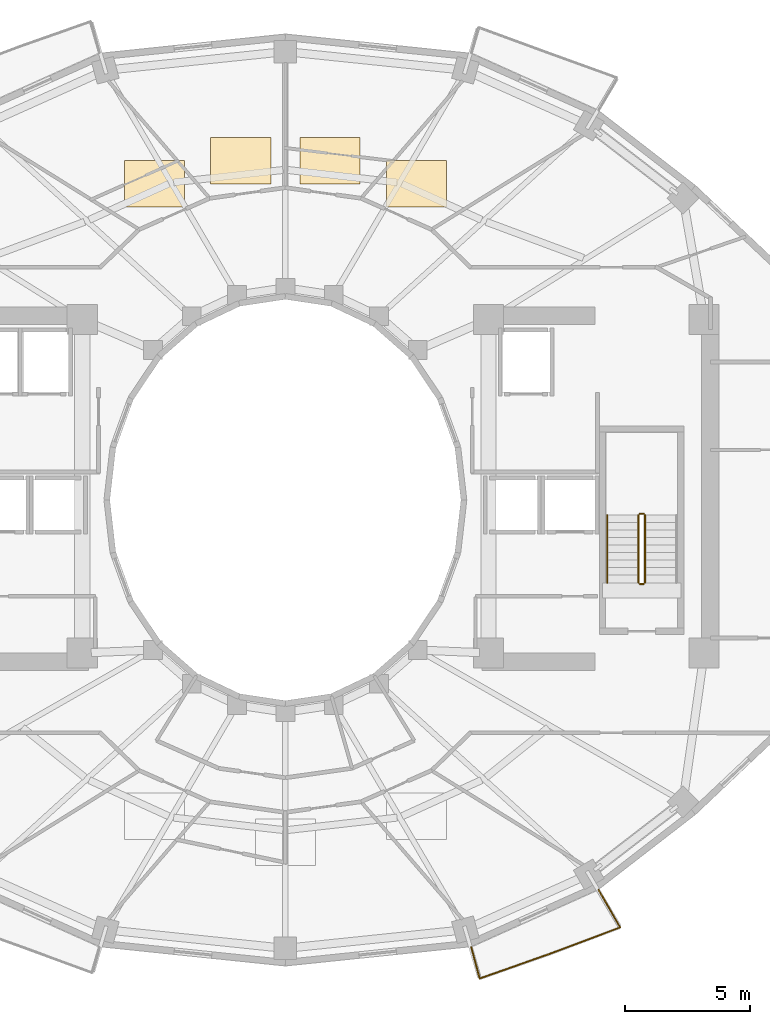
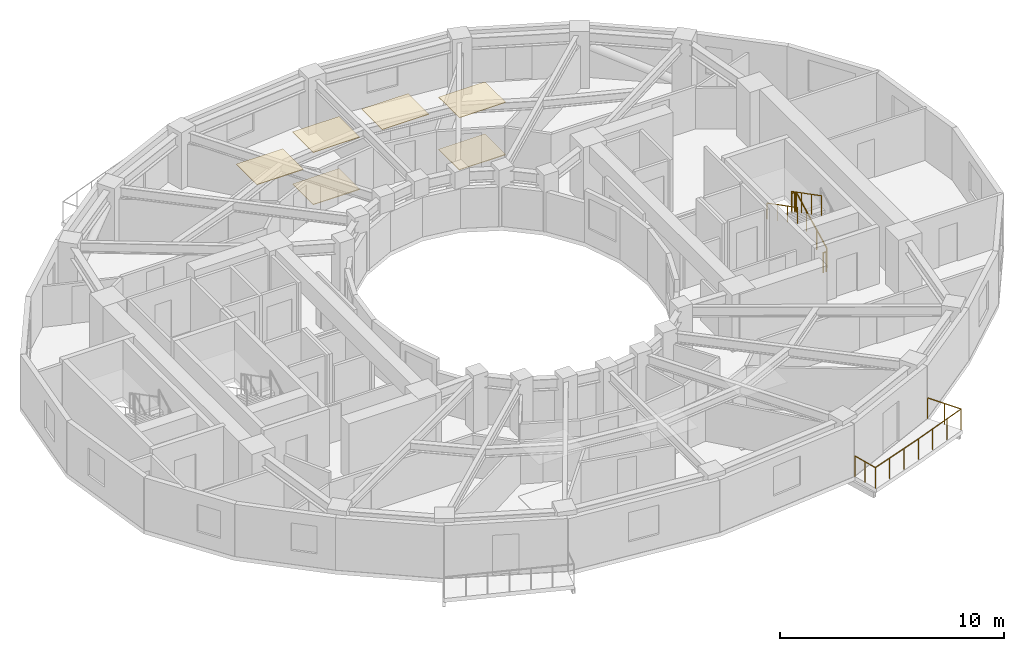
# One storey, part 9 of 10: 6 coverings, 6 railings.
"""IFC4 building model written with IfcOpenShell, lengths in metres."""

import ifcopenshell
import ifcopenshell.guid

model = None  # the IFC model being written
_history = None  # IfcOwnerHistory: only IFC2X3 demands one
_inside = {}  # id of a spatial element -> (the spatial element, [elements in it])
_under = {}  # id of a project, library or spatial element -> (it, [spatial elements below it])
_declared = {}  # id of a project -> (the project, [libraries it declares])
_typed = {}  # id of a type object -> (the type object, [elements of that type])
_made_of = {}  # id of a material, layer set ... -> (it, [elements and type objects made of it])


def new_model(schema):
    """Start an empty IFC model of exactly this schema.

    Asked for "IFC4X3", IfcOpenShell would pick the latest addendum, in which some entities
    have other attributes; the version numbers below select the first issue.
    IFC2X3 requires an IfcOwnerHistory on every rooted entity: one is made here for all.
    """
    global model, _history
    if schema == "IFC4X3":
        model = ifcopenshell.file(schema_version=(4, 3, 0, 0))
    else:
        model = ifcopenshell.file(schema=schema)
    _inside.clear()
    _under.clear()
    _declared.clear()
    _typed.clear()
    _made_of.clear()
    _history = None
    if model.schema == "IFC2X3":
        org = make("IfcOrganization", Name="unknown")
        user = make(
            "IfcPersonAndOrganization",
            ThePerson=make("IfcPerson", FamilyName="unknown"),
            TheOrganization=org,
        )
        app = make(
            "IfcApplication",
            ApplicationDeveloper=org,
            Version="unknown",
            ApplicationFullName="unknown",
            ApplicationIdentifier="unknown",
        )
        _history = make(
            "IfcOwnerHistory",
            OwningUser=user,
            OwningApplication=app,
            ChangeAction="ADDED",
            CreationDate=0,
        )
    return model


def make(cls, **values):
    """One entity of the class cls with the attributes given. An attribute that is None is left unset."""
    return model.create_entity(
        cls, **{name: value for name, value in values.items() if value is not None}
    )


def rooted(cls, **values):
    """An entity with a GlobalId (a new one), such as an element, a storey or a relation."""
    return make(cls, GlobalId=ifcopenshell.guid.new(), OwnerHistory=_history, **values)


def si_unit(unit_type, name, prefix=None):
    """IfcSIUnit, for example si_unit("LENGTHUNIT", "METRE", prefix="MILLI")."""
    return make("IfcSIUnit", UnitType=unit_type, Prefix=prefix, Name=name)


def assignment(units):
    """IfcUnitAssignment: the units of a project."""
    return None if units is None else make("IfcUnitAssignment", Units=units)


def point(xyz):
    """IfcCartesianPoint."""
    return None if xyz is None else make("IfcCartesianPoint", Coordinates=xyz)


def direction(xyz):
    """IfcDirection."""
    return None if xyz is None else make("IfcDirection", DirectionRatios=xyz)


def frame(location, z_axis=None, x_axis=None):
    """IfcAxis2Placement3D, a coordinate frame: its origin and axes. An axis left out is left unset."""
    return make(
        "IfcAxis2Placement3D",
        Location=point(location),
        Axis=direction(z_axis),
        RefDirection=direction(x_axis),
    )


def frame_2d(location, x_axis=None):
    """IfcAxis2Placement2D, a coordinate frame in the plane: its origin and x axis."""
    return make(
        "IfcAxis2Placement2D", Location=point(location), RefDirection=direction(x_axis)
    )


def origin():
    """The frame at (0, 0, 0) with its axes left unset."""
    return frame((0.0, 0.0, 0.0))


def origin_2d():
    """The frame at (0, 0) in the plane with its x axis left unset."""
    return frame_2d((0.0, 0.0))


def place(relative_to, where):
    """IfcLocalPlacement: puts the frame where relative to a parent placement (None: the world)."""
    return make(
        "IfcLocalPlacement", PlacementRelTo=relative_to, RelativePlacement=where
    )


def context(
    kind, dimensions, precision=None, world=None, true_north=None, identifier=None
):
    """IfcGeometricRepresentationContext, for example the 3D "Model" context."""
    return make(
        "IfcGeometricRepresentationContext",
        ContextIdentifier=identifier,
        ContextType=kind,
        CoordinateSpaceDimension=dimensions,
        Precision=precision,
        WorldCoordinateSystem=world,
        TrueNorth=true_north,
    )


def subcontext(parent, identifier, kind, view, scale=None):
    """IfcGeometricRepresentationSubContext, for example "Body" below "Model"."""
    return make(
        "IfcGeometricRepresentationSubContext",
        ContextIdentifier=identifier,
        ContextType=kind,
        ParentContext=parent,
        TargetScale=scale,
        TargetView=view,
    )


def project(units=None, contexts=None):
    """IfcProject with its units and contexts."""
    return rooted(
        "IfcProject",
        Name="project",
        RepresentationContexts=contexts,
        UnitsInContext=assignment(units),
    )


def spatial(cls, under=None, at=None, **own):
    """A site, building, storey or space (cls), placed at a placement, below another one or the project."""
    s = rooted(cls, ObjectPlacement=at, **own)
    if under is not None:
        _under.setdefault(under.id(), (under, []))[1].append(s)
    return s


def polyline(points):
    """IfcPolyline through the points."""
    return make("IfcPolyline", Points=[point(p) for p in points])


def profile(cls, at=None, kind="AREA", **sizes):
    """A parametric profile (cls). Its sizes go by their IFC names, for example OverallWidth=200.0."""
    return make(cls, ProfileType=kind, Position=at, **sizes)


def circle(**sizes):
    """IfcCircleProfileDef."""
    return profile("IfcCircleProfileDef", **sizes)


def outline(outer, holes=None, kind="AREA"):
    """IfcArbitraryClosedProfileDef: a profile drawn as a closed curve; with holes, ...WithVoids."""
    if holes is None:
        return make("IfcArbitraryClosedProfileDef", ProfileType=kind, OuterCurve=outer)
    return make(
        "IfcArbitraryProfileDefWithVoids",
        ProfileType=kind,
        OuterCurve=outer,
        InnerCurves=holes,
    )


def extrude(swept, where, along, depth):
    """IfcExtrudedAreaSolid: the profile swept, set in the frame where, extruded along a direction by depth."""
    return make(
        "IfcExtrudedAreaSolid",
        SweptArea=swept,
        Position=where,
        ExtrudedDirection=direction(along),
        Depth=depth,
    )


def shape(context_of_items, identifier, shape_type, items):
    """IfcShapeRepresentation: the items that make up one representation, for example the "Body"."""
    return make(
        "IfcShapeRepresentation",
        ContextOfItems=context_of_items,
        RepresentationIdentifier=identifier,
        RepresentationType=shape_type,
        Items=items,
    )


def material(Name=None, Category=None):
    """IfcMaterial."""
    return make("IfcMaterial", Name=Name, Category=Category)


def layer(
    of_material, thickness, ventilated=None, Name=None, Category=None, Priority=None
):
    """IfcMaterialLayer: one layer of a wall or slab, of a material (None: an air gap)."""
    return make(
        "IfcMaterialLayer",
        Material=of_material,
        LayerThickness=thickness,
        IsVentilated=ventilated,
        Name=Name,
        Category=Category,
        Priority=Priority,
    )


def layer_set(layers, Name=None):
    """IfcMaterialLayerSet."""
    return make("IfcMaterialLayerSet", MaterialLayers=layers, LayerSetName=Name)


def made_of(thing, what):
    """Note that an element or type object is made of a material, layer set ...; save() writes the relation."""
    if what is not None:
        _made_of.setdefault(what.id(), (what, []))[1].append(thing)
    return thing


def type_object(cls, material=None, **own):
    """A type object (cls), such as IfcWallType, which elements share."""
    return made_of(rooted(cls, **own), material)


def element(
    cls,
    number,
    at=None,
    inside=None,
    cuts=None,
    type_object=None,
    material=None,
    context=None,
    identifier="Body",
    shape_type=None,
    held_by="IfcProductDefinitionShape",
    body=None,
    shapes=None,
    **own,
):
    """One element of the class cls, such as IfcWall. Its Tag is "e" and its number.

    at: its placement. inside: the storey or other place that contains it. cuts: it is an
    opening in that element (IfcRelVoidsElement). A single representation is given by context,
    identifier, shape_type and body (its items); several are given by shapes. held_by: the class
    of the entity that holds the representations. save() writes the other relations.
    """
    e = rooted(cls, Tag="e%d" % number, ObjectPlacement=at, **own)
    if body is not None:
        shapes = [shape(context, identifier, shape_type, body)]
    if shapes is not None:
        e.Representation = make(held_by, Representations=shapes)
    if inside is not None:
        _inside.setdefault(inside.id(), (inside, []))[1].append(e)
    if cuts is not None:
        rooted(
            "IfcRelVoidsElement", RelatingBuildingElement=cuts, RelatedOpeningElement=e
        )
    if type_object is not None:
        _typed.setdefault(type_object.id(), (type_object, []))[1].append(e)
    return made_of(e, material)


def aggregate(whole, parts):
    """IfcRelAggregates: a whole, such as a stair, and the parts it consists of."""
    return rooted("IfcRelAggregates", RelatingObject=whole, RelatedObjects=parts)


def save(model, path):
    """Write the relations noted so far, then the file.

    IfcRelAggregates (storeys below a building ...), IfcRelContainedInSpatialStructure (elements
    in a storey), IfcRelDefinesByType, IfcRelAssociatesMaterial and IfcRelDeclares: one each for
    every whole, place, type object, material and project.
    """
    for whole, parts in _under.values():
        aggregate(whole, parts)
    for where, things in _inside.values():
        rooted(
            "IfcRelContainedInSpatialStructure",
            RelatedElements=things,
            RelatingStructure=where,
        )
    for kind, things in _typed.values():
        rooted("IfcRelDefinesByType", RelatedObjects=things, RelatingType=kind)
    for what, things in _made_of.values():
        rooted("IfcRelAssociatesMaterial", RelatedObjects=things, RelatingMaterial=what)
    for by, libraries in _declared.values():
        rooted("IfcRelDeclares", RelatingContext=by, RelatedDefinitions=libraries)
    model.write(path)


model = new_model("IFC4")

# Units and contexts
model_context = context("Model", 3, precision=1e-05, world=origin(), true_north=direction((0.0, 1.0)))
body_context = subcontext(model_context, "Body", "Model", "MODEL_VIEW")
ifc_project = project(units=[si_unit("LENGTHUNIT", "METRE"), si_unit("AREAUNIT", "SQUARE_METRE"), si_unit("VOLUMEUNIT", "CUBIC_METRE"), si_unit("PLANEANGLEUNIT", "RADIAN"), si_unit("MASSUNIT", "GRAM", prefix="KILO")], contexts=[model_context])

# Site, building, storey
site_placement = place(None, origin())
site = spatial("IfcSite", under=ifc_project, at=site_placement, CompositionType="ELEMENT")
building_placement = place(site_placement, origin())
building = spatial("IfcBuilding", under=site, at=building_placement, Name="Solvane Sanctuary Tower", CompositionType="ELEMENT")
storey_placement = place(building_placement, frame((0.0, 0.0, 146.699951171875)))
storey = spatial("IfcBuildingStorey", under=building, at=storey_placement, Name="L44", CompositionType="ELEMENT", Elevation=146.699951171875)

# Coverings
ifc_material_1 = material(Name="Acoustic Gypsum Partition Board")
ifc_layer_1 = layer(ifc_material_1, 0.02490234375, Name="Acoustic Gypsum Partition Board")
ifc_layer_set_1 = layer_set([ifc_layer_1], Name="Acoustic Gypsum Partition Board")
covering_type_1 = type_object("IfcCoveringType", Name="Covering CLG-ACOUST", PredefinedType="CEILING", material=ifc_layer_set_1)
covering_1_placement = place(storey_placement, frame((0.0, 0.0, 2.85009765625)))
element("IfcCovering", 1, at=covering_1_placement, inside=storey, type_object=covering_type_1, Name="L44 Unit Acoustic Ceiling Panel 1", PredefinedType="CEILING", context=body_context, shape_type="SweptSolid", body=[
    extrude(outline(polyline([(36.02392578125, 34.68603515625), (38.424072265625, 34.68603515625), (38.424072265625, 36.535888671875), (36.02392578125, 36.535888671875), (36.02392578125, 34.68603515625)])), origin(), (0.0, 0.0, 1.0), 0.030029296875),
])
covering_2_placement = place(storey_placement, frame((0.0, 0.0, 2.85009765625)))
element("IfcCovering", 2, at=covering_2_placement, inside=storey, type_object=covering_type_1, Name="L44 Unit Acoustic Ceiling Panel 2", PredefinedType="CEILING", context=body_context, shape_type="SweptSolid", body=[
    extrude(outline(polyline([(32.58203125, 35.60791015625), (34.98193359375, 35.60791015625), (34.98193359375, 37.4580078125), (32.58203125, 37.4580078125), (32.58203125, 35.60791015625)])), origin(), (0.0, 0.0, 1.0), 0.030029296875),
])
covering_3_placement = place(storey_placement, frame((0.0, 0.0, 2.85009765625)))
element("IfcCovering", 3, at=covering_3_placement, inside=storey, type_object=covering_type_1, Name="L44 Unit Acoustic Ceiling Panel 3", PredefinedType="CEILING", context=body_context, shape_type="SweptSolid", body=[
    extrude(outline(polyline([(29.01806640625, 35.60791015625), (31.41796875, 35.60791015625), (31.41796875, 37.4580078125), (29.01806640625, 37.4580078125), (29.01806640625, 35.60791015625)])), origin(), (0.0, 0.0, 1.0), 0.030029296875),
])
covering_4_placement = place(storey_placement, frame((0.0, 0.0, 2.85009765625)))
element("IfcCovering", 4, at=covering_4_placement, inside=storey, type_object=covering_type_1, Name="L44 Unit Acoustic Ceiling Panel 4", PredefinedType="CEILING", context=body_context, shape_type="SweptSolid", body=[
    extrude(outline(polyline([(25.575927734375, 34.68603515625), (27.97607421875, 34.68603515625), (27.97607421875, 36.535888671875), (25.575927734375, 36.535888671875), (25.575927734375, 34.68603515625)])), origin(), (0.0, 0.0, 1.0), 0.030029296875),
])
ifc_material_2 = material(Name="Ceramic Tile Finish")
ifc_layer_2 = layer(ifc_material_2, 0.030029296875, Name="Ceramic Tile Finish")
ifc_layer_set_2 = layer_set([ifc_layer_2], Name="Ceramic Tile Finish")
covering_type_2 = type_object("IfcCoveringType", Name="Covering FLR-TERRAZZO", PredefinedType="FLOORING", material=ifc_layer_set_2)
covering_5_placement = place(storey_placement, origin())
element("IfcCovering", 5, at=covering_5_placement, inside=storey, type_object=covering_type_2, Name="L44 Unit Terrazzo Inlay 1", PredefinedType="FLOORING", context=body_context, shape_type="SweptSolid", body=[
    extrude(outline(polyline([(36.02392578125, 34.68603515625), (38.424072265625, 34.68603515625), (38.424072265625, 36.535888671875), (36.02392578125, 36.535888671875), (36.02392578125, 34.68603515625)])), origin(), (0.0, 0.0, 1.0), 0.03515625),
])
covering_6_placement = place(storey_placement, origin())
element("IfcCovering", 6, at=covering_6_placement, inside=storey, type_object=covering_type_2, Name="L44 Unit Terrazzo Inlay 3", PredefinedType="FLOORING", context=body_context, shape_type="SweptSolid", body=[
    extrude(outline(polyline([(29.01806640625, 35.60791015625), (31.41796875, 35.60791015625), (31.41796875, 37.4580078125), (29.01806640625, 37.4580078125), (29.01806640625, 35.60791015625)])), origin(), (0.0, 0.0, 1.0), 0.03515625),
])

# Railings
ifc_material_3 = material(Name="Architectural Stainless Steel 316", Category="steel")
railing_type_1 = type_object("IfcRailingType", Name="Railing GR-BALC-1150", PredefinedType="BALUSTRADE", material=ifc_material_3)
railing_1_placement = place(storey_placement, frame((39.410400390625, 5.17041015625, 0.0)))
element("IfcRailing", 7, at=railing_1_placement, inside=storey, type_object=railing_type_1, Name="L44 Wave Balcony Balustrade S2", PredefinedType="BALUSTRADE", context=body_context, shape_type="SweptSolid", body=[
    extrude(circle(Radius=0.02392578125, at=origin_2d()), frame((0.0, 0.0, 1.1259765625), z_axis=(0.258764326089, -0.965940486543, 0.0), x_axis=(0.965940486543, 0.258764326089, 0.0)), (0.0, 0.0, 1.0), 1.29638671875),
    extrude(circle(Radius=0.02392578125, at=origin_2d()), frame((0.33544921875, -1.252197265625, 1.1259765625), z_axis=(0.943326752862, 0.331865390384, 0.0), x_axis=(-0.331865390384, 0.943326752862, 0.0)), (0.0, 0.0, 1.0), 2.95654296875),
    extrude(circle(Radius=0.02392578125, at=origin_2d()), frame((3.12451171875, -0.27099609375, 1.1259765625), z_axis=(0.935767944552, 0.352616440271, 0.0), x_axis=(-0.352616440271, 0.935767944552, 0.0)), (0.0, 0.0, 1.0), 3.009765625),
    extrude(circle(Radius=0.02392578125, at=origin_2d()), frame((5.94091796875, 0.790283203125, 1.1259765625), z_axis=(-0.500036993012, 0.866004044806, 0.0), x_axis=(-0.866004044806, -0.500036993012, 0.0)), (0.0, 0.0, 1.0), 1.724365234375),
    extrude(circle(Radius=0.02099609375, at=origin_2d()), origin(), (0.0, 0.0, 1.0), 1.101806640625),
    extrude(circle(Radius=0.02099609375, at=origin_2d()), frame((0.167724609375, -0.6259765625, 0.0)), (0.0, 0.0, 1.0), 1.101806640625),
    extrude(circle(Radius=0.02099609375, at=origin_2d()), frame((0.33544921875, -1.252197265625, 0.0)), (0.0, 0.0, 1.0), 1.101806640625),
    extrude(circle(Radius=0.02099609375, at=origin_2d()), frame((1.26513671875, -0.925048828125, 0.0)), (0.0, 0.0, 1.0), 1.101806640625),
    extrude(circle(Radius=0.02099609375, at=origin_2d()), frame((2.19482421875, -0.59814453125, 0.0)), (0.0, 0.0, 1.0), 1.101806640625),
    extrude(circle(Radius=0.02099609375, at=origin_2d()), frame((3.12451171875, -0.27099609375, 0.0)), (0.0, 0.0, 1.0), 1.101806640625),
    extrude(circle(Radius=0.02099609375, at=origin_2d()), frame((4.063232421875, 0.082763671875, 0.0)), (0.0, 0.0, 1.0), 1.101806640625),
    extrude(circle(Radius=0.02099609375, at=origin_2d()), frame((5.002197265625, 0.4365234375, 0.0)), (0.0, 0.0, 1.0), 1.101806640625),
    extrude(circle(Radius=0.02099609375, at=origin_2d()), frame((5.94091796875, 0.790283203125, 0.0)), (0.0, 0.0, 1.0), 1.101806640625),
    extrude(circle(Radius=0.02099609375, at=origin_2d()), frame((5.509765625, 1.537109375, 0.0)), (0.0, 0.0, 1.0), 1.101806640625),
    extrude(circle(Radius=0.02099609375, at=origin_2d()), frame((5.07861328125, 2.28369140625, 0.0)), (0.0, 0.0, 1.0), 1.101806640625),
])
railing_2_placement = place(storey_placement, frame((46.340087890625, 19.699951171875, 0.155029296875)))
element("IfcRailing", 8, at=railing_2_placement, inside=storey, type_object=railing_type_1, Name="L44 ST-2 stair guard 1", PredefinedType="BALUSTRADE", context=body_context, shape_type="SweptSolid", body=[
    extrude(circle(Radius=0.02392578125, at=origin_2d()), frame((0.0, 0.0, 1.076171875), z_axis=(0.0, 0.888419900624, 0.459031676658), x_axis=(-1.0, 0.0, 0.0)), (0.0, 0.0, 1.0), 3.0390625),
    extrude(circle(Radius=0.02099609375, at=origin_2d()), origin(), (0.0, 0.0, 1.0), 1.052001953125),
    extrude(circle(Radius=0.02099609375, at=origin_2d()), frame((0.0, 0.89990234375, 0.465087890625)), (0.0, 0.0, 1.0), 1.052001953125),
    extrude(circle(Radius=0.02099609375, at=origin_2d()), frame((0.0, 1.800048828125, 0.929931640625)), (0.0, 0.0, 1.0), 1.052001953125),
    extrude(circle(Radius=0.02099609375, at=origin_2d()), frame((0.0, 2.699951171875, 1.39501953125)), (0.0, 0.0, 1.0), 1.052001953125),
])
railing_3_placement = place(storey_placement, frame((46.2900390625, 22.449951171875, 1.550048828125)))
element("IfcRailing", 9, at=railing_3_placement, inside=storey, type_object=railing_type_1, Name="L44 ST-2 stair guard 2", PredefinedType="BALUSTRADE", context=body_context, shape_type="SweptSolid", body=[
    extrude(circle(Radius=0.02392578125, at=origin_2d()), frame((0.0, 0.0, 1.076171875), z_axis=(-1.0, 0.0, 0.0), x_axis=(0.0, -1.0, 0.0)), (0.0, 0.0, 1.0), 0.16015625),
    extrude(circle(Radius=0.02099609375, at=origin_2d()), origin(), (0.0, 0.0, 1.0), 1.052001953125),
    extrude(circle(Radius=0.02099609375, at=origin_2d()), frame((-0.16015625, 0.0, 0.0)), (0.0, 0.0, 1.0), 1.052001953125),
])
railing_4_placement = place(storey_placement, frame((46.080078125, 22.39990234375, 1.705078125)))
element("IfcRailing", 10, at=railing_4_placement, inside=storey, type_object=railing_type_1, Name="L44 ST-2 stair guard 3", PredefinedType="BALUSTRADE", context=body_context, shape_type="SweptSolid", body=[
    extrude(circle(Radius=0.02392578125, at=origin_2d()), frame((0.0, 0.0, 1.076171875), z_axis=(0.0, -0.888419900624, 0.459031676658), x_axis=(1.0, 0.0, 0.0)), (0.0, 0.0, 1.0), 3.0390625),
    extrude(circle(Radius=0.02099609375, at=origin_2d()), origin(), (0.0, 0.0, 1.0), 1.052001953125),
    extrude(circle(Radius=0.02099609375, at=origin_2d()), frame((0.0, -0.89990234375, 0.465087890625)), (0.0, 0.0, 1.0), 1.052001953125),
    extrude(circle(Radius=0.02099609375, at=origin_2d()), frame((0.0, -1.800048828125, 0.929931640625)), (0.0, 0.0, 1.0), 1.052001953125),
    extrude(circle(Radius=0.02099609375, at=origin_2d()), frame((0.0, -2.699951171875, 1.39501953125)), (0.0, 0.0, 1.0), 1.052001953125),
])
railing_5_placement = place(storey_placement, frame((46.2900390625, 19.64990234375, 0.0)))
element("IfcRailing", 11, at=railing_5_placement, inside=storey, type_object=railing_type_1, Name="L44 ST-2 stair guard 4", PredefinedType="BALUSTRADE", context=body_context, shape_type="SweptSolid", body=[
    extrude(circle(Radius=0.02392578125, at=origin_2d()), frame((0.0, 0.0, 1.076171875), z_axis=(-1.0, 0.0, 0.0), x_axis=(0.0, -1.0, 0.0)), (0.0, 0.0, 1.0), 0.16015625),
    extrude(circle(Radius=0.02099609375, at=origin_2d()), origin(), (0.0, 0.0, 1.0), 1.052001953125),
    extrude(circle(Radius=0.02099609375, at=origin_2d()), frame((-0.16015625, 0.0, 0.0)), (0.0, 0.0, 1.0), 1.052001953125),
])
railing_type_2 = type_object("IfcRailingType", Name="Railing HR-STAIR-920", PredefinedType="HANDRAIL", material=ifc_material_3)
railing_6_placement = place(storey_placement, frame((44.830078125, 22.39990234375, 1.705078125)))
element("IfcRailing", 12, at=railing_6_placement, inside=storey, type_object=railing_type_2, Name="L44 ST-2 stair handrail 2", PredefinedType="HANDRAIL", context=body_context, shape_type="SweptSolid", body=[
    extrude(circle(Radius=0.02392578125, at=origin_2d()), frame((0.0, 0.0, 0.8759765625), z_axis=(0.0, -0.888419900624, 0.459031676658), x_axis=(1.0, 0.0, 0.0)), (0.0, 0.0, 1.0), 3.0390625),
    extrude(circle(Radius=0.02099609375, at=origin_2d()), origin(), (0.0, 0.0, 1.0), 0.851806640625),
    extrude(circle(Radius=0.02099609375, at=origin_2d()), frame((0.0, -0.89990234375, 0.465087890625)), (0.0, 0.0, 1.0), 0.851806640625),
    extrude(circle(Radius=0.02099609375, at=origin_2d()), frame((0.0, -1.800048828125, 0.929931640625)), (0.0, 0.0, 1.0), 0.851806640625),
    extrude(circle(Radius=0.02099609375, at=origin_2d()), frame((0.0, -2.699951171875, 1.39501953125)), (0.0, 0.0, 1.0), 0.851806640625),
])

save(model, "model.ifc")
